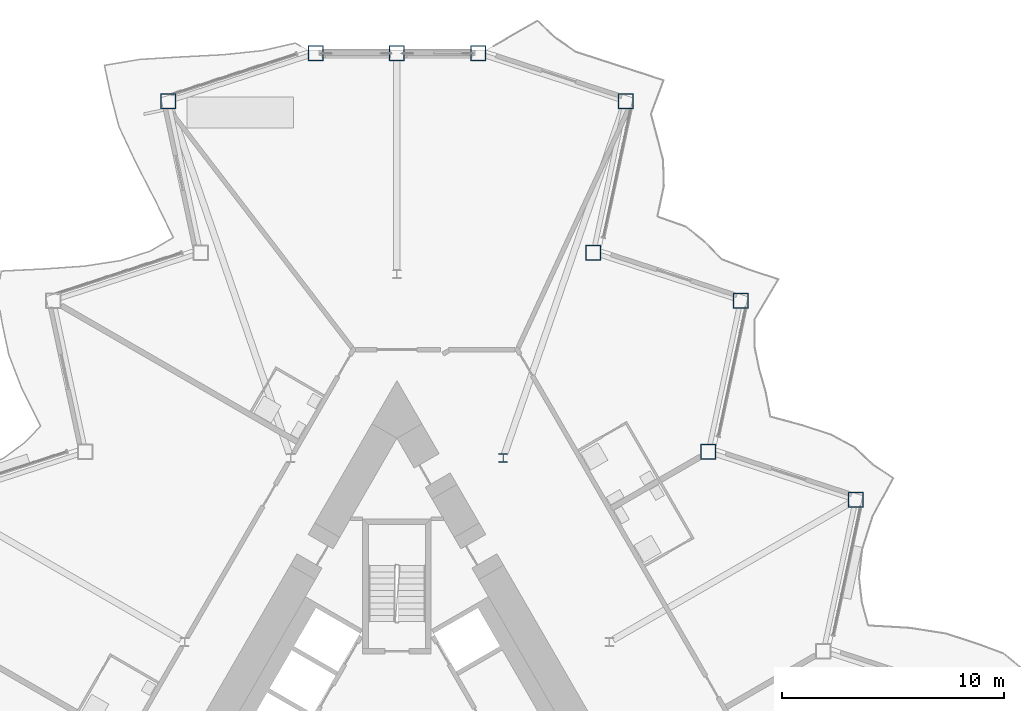
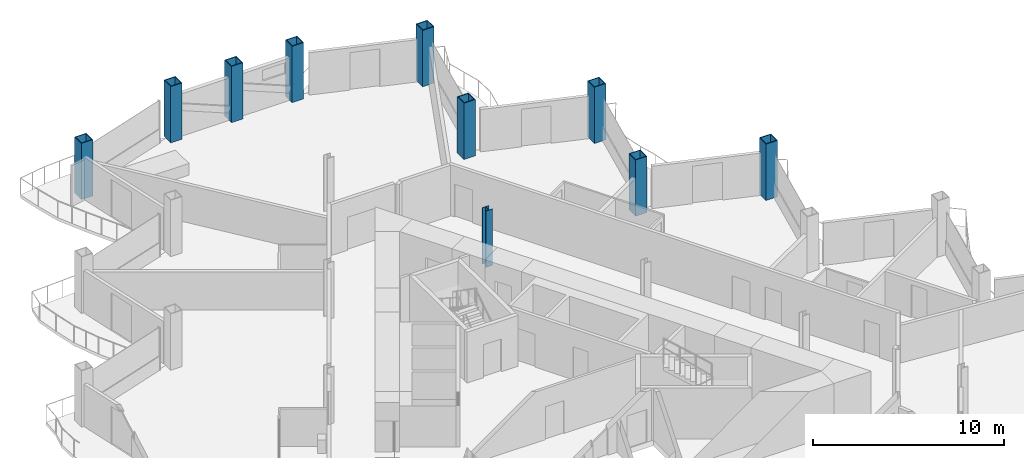
# One storey, part 3 of 23: 10 columns.
"""IFC4 building model written with IfcOpenShell, lengths in metres."""

from ifc_helpers import new_model, si_unit, direction, frame, origin, origin_2d, place, context, subcontext, project, spatial, hollow_rectangle, i_section, extrude, material, material_profile, profile_set, type_object, element, save


model = new_model("IFC4")

# Units and contexts
model_context = context("Model", 3, precision=1e-05, world=origin(), true_north=direction((0.0, 1.0)))
body_context = subcontext(model_context, "Body", "Model", "MODEL_VIEW")
ifc_project = project(units=[si_unit("LENGTHUNIT", "METRE"), si_unit("AREAUNIT", "SQUARE_METRE"), si_unit("VOLUMEUNIT", "CUBIC_METRE"), si_unit("PLANEANGLEUNIT", "RADIAN"), si_unit("MASSUNIT", "GRAM", prefix="KILO")], contexts=[model_context])

# Site, building, storey
site_placement = place(None, origin())
site = spatial("IfcSite", under=ifc_project, at=site_placement, CompositionType="ELEMENT")
building_placement = place(site_placement, origin())
building = spatial("IfcBuilding", under=site, at=building_placement, Name="Cormorant Prow Tower", CompositionType="ELEMENT")
storey_placement = place(building_placement, frame((0.0, 0.0, 259.800048828125)))
storey = spatial("IfcBuildingStorey", under=building, at=storey_placement, Name="L58", CompositionType="ELEMENT", Elevation=259.800048828125)

# Columns
ifc_material_1 = material(Name="Structural steel ASTM A572 Gr 50", Category="steel")
ifc_material_profile_1 = material_profile(ifc_material_1, hollow_rectangle(XDim=0.699951171875, YDim=0.699951171875, WallThickness=0.044921875, at=origin_2d()), Name="Box 700x700x45")
ifc_profile_set_1 = profile_set([ifc_material_profile_1], Name="Structural steel ASTM A572 Gr 50")
column_type_1 = type_object("IfcColumnType", Name="Perimeter box column 700x700x45", PredefinedType="COLUMN", material=ifc_profile_set_1)
for number, where, z_axis, x_axis, name in (
    (1, (20.686767578125, 11.943359375, 0.0), (0.0, 0.0, 1.0), (1.0, 0.0, 0.0), "Perimeter column C5 at ENE05 L58"),
    (2, (14.046875, 14.100830078125, 0.0), (0.0, 0.0, 1.0), (1.0, 0.0, 0.0), "Perimeter column C5 at ENE06 L58"),
    (3, (15.49853515625, 20.9296875, 0.0), (0.0, 0.0, 1.0), (1.0, 0.0, 0.0), "Perimeter column C5 at ENE07 L58"),
    (4, (8.858642578125, 23.087158203125, 0.0), (0.0, 0.0, 1.0), (1.0, 0.0, 0.0), "Perimeter column C5 at ENE08 L58"),
    (5, (10.310302734375, 29.916015625, 0.0), (0.0, 0.0, 1.0), (1.0, 0.0, 0.0), "Perimeter column C5 at ENE09 L58"),
    (6, (3.67041015625, 32.073486328125, 0.0), (0.0, 0.0, 1.0), (1.0, 0.0, 0.0), "Perimeter column C5 at N00 L58"),
    (7, (0.0, 32.073486328125, 0.0), (0.0, 0.0, 1.0), (1.0, 0.0, 0.0), "Perimeter column C5 at N01 L58"),
    (8, (-3.67041015625, 32.073486328125, 0.0), (0.0, 0.0, 1.0), (1.0, 0.0, 0.0), "Perimeter column C5 at WNW00 L58"),
    (9, (-10.310302734375, 29.916015625, 0.0), (0.0, 0.0, 1.0), (1.0, 0.0, 0.0), "Perimeter column C5 at WNW01 L58"),
):
    element("IfcColumn", number, at=place(storey_placement, frame(where, z_axis=z_axis, x_axis=x_axis)), inside=storey, type_object=column_type_1, Name=name, PredefinedType="COLUMN", context=body_context, shape_type="SweptSolid", body=[
        extrude(hollow_rectangle(XDim=0.699951171875, YDim=0.699951171875, WallThickness=0.044921875, at=origin_2d()), origin(), (0.0, 0.0, 1.0), 3.599853515625),
    ])
ifc_material_2 = material(Name="Structural steel ASTM A992 Gr 50", Category="steel")
ifc_material_profile_2 = material_profile(ifc_material_2, i_section(OverallWidth=0.39892578125, OverallDepth=0.393310546875, WebThickness=0.022705078125, FlangeThickness=0.03662109375, at=origin_2d()), Name="W14x193")
ifc_profile_set_2 = profile_set([ifc_material_profile_2], Name="Structural steel ASTM A992 Gr 50")
column_type_2 = type_object("IfcColumnType", Name="Ring column W14x193", PredefinedType="COLUMN", material=ifc_profile_set_2)
column_placement = place(storey_placement, frame((4.789306640625, 13.8251953125, 0.0), z_axis=(0.0, 0.0, 1.0), x_axis=(1.0, 0.0, 0.0)))
element("IfcColumn", 10, at=column_placement, inside=storey, type_object=column_type_2, Name="Ring column 12 L58", PredefinedType="COLUMN", context=body_context, shape_type="SweptSolid", body=[
    extrude(i_section(OverallWidth=0.39892578125, OverallDepth=0.393310546875, WebThickness=0.022705078125, FlangeThickness=0.03662109375, at=origin_2d()), origin(), (0.0, 0.0, 1.0), 3.599853515625),
])

save(model, "model.ifc")
